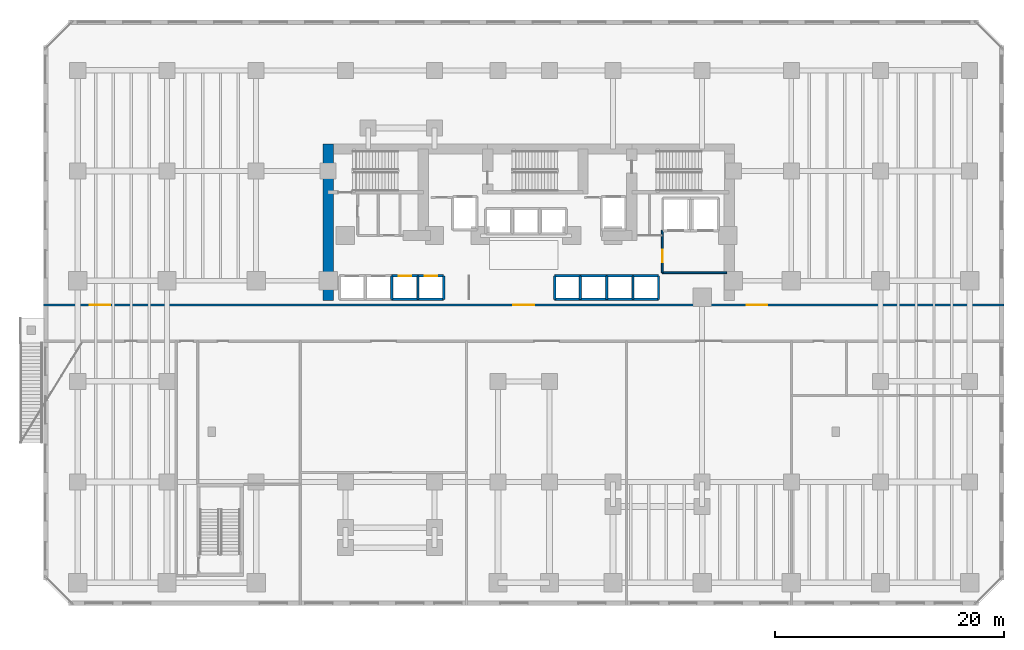
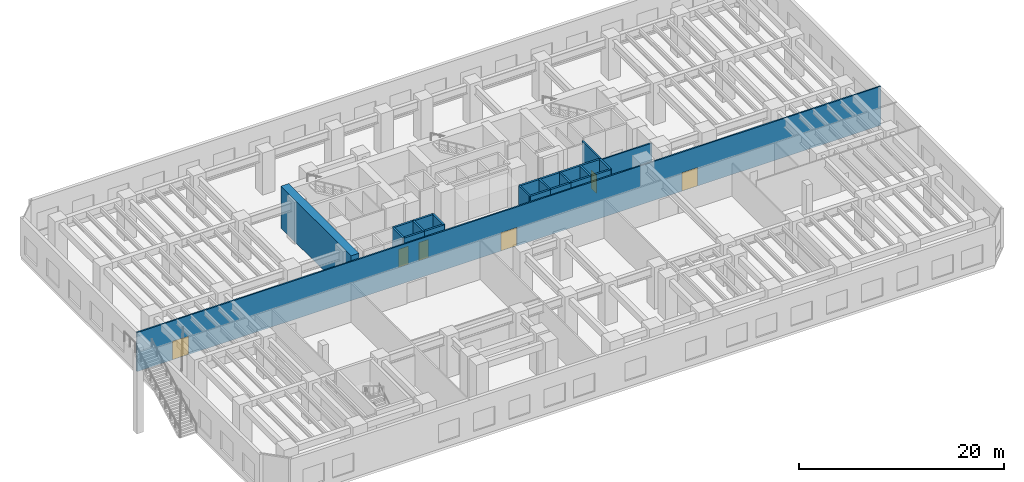
# One storey, part 13 of 19: 24 walls, 6 doors, 6 openings.
"""IFC4 building model written with IfcOpenShell, lengths in metres."""

import ifcopenshell
import ifcopenshell.guid

model = None  # the IFC model being written
_history = None  # IfcOwnerHistory: only IFC2X3 demands one
_inside = {}  # id of a spatial element -> (the spatial element, [elements in it])
_under = {}  # id of a project, library or spatial element -> (it, [spatial elements below it])
_declared = {}  # id of a project -> (the project, [libraries it declares])
_typed = {}  # id of a type object -> (the type object, [elements of that type])
_made_of = {}  # id of a material, layer set ... -> (it, [elements and type objects made of it])


def new_model(schema):
    """Start an empty IFC model of exactly this schema.

    Asked for "IFC4X3", IfcOpenShell would pick the latest addendum, in which some entities
    have other attributes; the version numbers below select the first issue.
    IFC2X3 requires an IfcOwnerHistory on every rooted entity: one is made here for all.
    """
    global model, _history
    if schema == "IFC4X3":
        model = ifcopenshell.file(schema_version=(4, 3, 0, 0))
    else:
        model = ifcopenshell.file(schema=schema)
    _inside.clear()
    _under.clear()
    _declared.clear()
    _typed.clear()
    _made_of.clear()
    _history = None
    if model.schema == "IFC2X3":
        org = make("IfcOrganization", Name="unknown")
        user = make(
            "IfcPersonAndOrganization",
            ThePerson=make("IfcPerson", FamilyName="unknown"),
            TheOrganization=org,
        )
        app = make(
            "IfcApplication",
            ApplicationDeveloper=org,
            Version="unknown",
            ApplicationFullName="unknown",
            ApplicationIdentifier="unknown",
        )
        _history = make(
            "IfcOwnerHistory",
            OwningUser=user,
            OwningApplication=app,
            ChangeAction="ADDED",
            CreationDate=0,
        )
    return model


def make(cls, **values):
    """One entity of the class cls with the attributes given. An attribute that is None is left unset."""
    return model.create_entity(
        cls, **{name: value for name, value in values.items() if value is not None}
    )


def rooted(cls, **values):
    """An entity with a GlobalId (a new one), such as an element, a storey or a relation."""
    return make(cls, GlobalId=ifcopenshell.guid.new(), OwnerHistory=_history, **values)


def si_unit(unit_type, name, prefix=None):
    """IfcSIUnit, for example si_unit("LENGTHUNIT", "METRE", prefix="MILLI")."""
    return make("IfcSIUnit", UnitType=unit_type, Prefix=prefix, Name=name)


def assignment(units):
    """IfcUnitAssignment: the units of a project."""
    return None if units is None else make("IfcUnitAssignment", Units=units)


def point(xyz):
    """IfcCartesianPoint."""
    return None if xyz is None else make("IfcCartesianPoint", Coordinates=xyz)


def direction(xyz):
    """IfcDirection."""
    return None if xyz is None else make("IfcDirection", DirectionRatios=xyz)


def frame(location, z_axis=None, x_axis=None):
    """IfcAxis2Placement3D, a coordinate frame: its origin and axes. An axis left out is left unset."""
    return make(
        "IfcAxis2Placement3D",
        Location=point(location),
        Axis=direction(z_axis),
        RefDirection=direction(x_axis),
    )


def frame_2d(location, x_axis=None):
    """IfcAxis2Placement2D, a coordinate frame in the plane: its origin and x axis."""
    return make(
        "IfcAxis2Placement2D", Location=point(location), RefDirection=direction(x_axis)
    )


def origin():
    """The frame at (0, 0, 0) with its axes left unset."""
    return frame((0.0, 0.0, 0.0))


def place(relative_to, where):
    """IfcLocalPlacement: puts the frame where relative to a parent placement (None: the world)."""
    return make(
        "IfcLocalPlacement", PlacementRelTo=relative_to, RelativePlacement=where
    )


def context(
    kind, dimensions, precision=None, world=None, true_north=None, identifier=None
):
    """IfcGeometricRepresentationContext, for example the 3D "Model" context."""
    return make(
        "IfcGeometricRepresentationContext",
        ContextIdentifier=identifier,
        ContextType=kind,
        CoordinateSpaceDimension=dimensions,
        Precision=precision,
        WorldCoordinateSystem=world,
        TrueNorth=true_north,
    )


def subcontext(parent, identifier, kind, view, scale=None):
    """IfcGeometricRepresentationSubContext, for example "Body" below "Model"."""
    return make(
        "IfcGeometricRepresentationSubContext",
        ContextIdentifier=identifier,
        ContextType=kind,
        ParentContext=parent,
        TargetScale=scale,
        TargetView=view,
    )


def project(units=None, contexts=None):
    """IfcProject with its units and contexts."""
    return rooted(
        "IfcProject",
        Name="project",
        RepresentationContexts=contexts,
        UnitsInContext=assignment(units),
    )


def spatial(cls, under=None, at=None, **own):
    """A site, building, storey or space (cls), placed at a placement, below another one or the project."""
    s = rooted(cls, ObjectPlacement=at, **own)
    if under is not None:
        _under.setdefault(under.id(), (under, []))[1].append(s)
    return s


def profile(cls, at=None, kind="AREA", **sizes):
    """A parametric profile (cls). Its sizes go by their IFC names, for example OverallWidth=200.0."""
    return make(cls, ProfileType=kind, Position=at, **sizes)


def rectangle(**sizes):
    """IfcRectangleProfileDef."""
    return profile("IfcRectangleProfileDef", **sizes)


def extrude(swept, where, along, depth):
    """IfcExtrudedAreaSolid: the profile swept, set in the frame where, extruded along a direction by depth."""
    return make(
        "IfcExtrudedAreaSolid",
        SweptArea=swept,
        Position=where,
        ExtrudedDirection=direction(along),
        Depth=depth,
    )


def shape(context_of_items, identifier, shape_type, items):
    """IfcShapeRepresentation: the items that make up one representation, for example the "Body"."""
    return make(
        "IfcShapeRepresentation",
        ContextOfItems=context_of_items,
        RepresentationIdentifier=identifier,
        RepresentationType=shape_type,
        Items=items,
    )


def material(Name=None, Category=None):
    """IfcMaterial."""
    return make("IfcMaterial", Name=Name, Category=Category)


def layer(
    of_material, thickness, ventilated=None, Name=None, Category=None, Priority=None
):
    """IfcMaterialLayer: one layer of a wall or slab, of a material (None: an air gap)."""
    return make(
        "IfcMaterialLayer",
        Material=of_material,
        LayerThickness=thickness,
        IsVentilated=ventilated,
        Name=Name,
        Category=Category,
        Priority=Priority,
    )


def layer_set(layers, Name=None):
    """IfcMaterialLayerSet."""
    return make("IfcMaterialLayerSet", MaterialLayers=layers, LayerSetName=Name)


def made_of(thing, what):
    """Note that an element or type object is made of a material, layer set ...; save() writes the relation."""
    if what is not None:
        _made_of.setdefault(what.id(), (what, []))[1].append(thing)
    return thing


def type_object(cls, material=None, **own):
    """A type object (cls), such as IfcWallType, which elements share."""
    return made_of(rooted(cls, **own), material)


def element(
    cls,
    number,
    at=None,
    inside=None,
    cuts=None,
    type_object=None,
    material=None,
    context=None,
    identifier="Body",
    shape_type=None,
    held_by="IfcProductDefinitionShape",
    body=None,
    shapes=None,
    **own,
):
    """One element of the class cls, such as IfcWall. Its Tag is "e" and its number.

    at: its placement. inside: the storey or other place that contains it. cuts: it is an
    opening in that element (IfcRelVoidsElement). A single representation is given by context,
    identifier, shape_type and body (its items); several are given by shapes. held_by: the class
    of the entity that holds the representations. save() writes the other relations.
    """
    e = rooted(cls, Tag="e%d" % number, ObjectPlacement=at, **own)
    if body is not None:
        shapes = [shape(context, identifier, shape_type, body)]
    if shapes is not None:
        e.Representation = make(held_by, Representations=shapes)
    if inside is not None:
        _inside.setdefault(inside.id(), (inside, []))[1].append(e)
    if cuts is not None:
        rooted(
            "IfcRelVoidsElement", RelatingBuildingElement=cuts, RelatedOpeningElement=e
        )
    if type_object is not None:
        _typed.setdefault(type_object.id(), (type_object, []))[1].append(e)
    return made_of(e, material)


def fill(opening, filler):
    """IfcRelFillsElement: the door or window that sits in an opening."""
    return rooted(
        "IfcRelFillsElement",
        RelatingOpeningElement=opening,
        RelatedBuildingElement=filler,
    )


def aggregate(whole, parts):
    """IfcRelAggregates: a whole, such as a stair, and the parts it consists of."""
    return rooted("IfcRelAggregates", RelatingObject=whole, RelatedObjects=parts)


def save(model, path):
    """Write the relations noted so far, then the file.

    IfcRelAggregates (storeys below a building ...), IfcRelContainedInSpatialStructure (elements
    in a storey), IfcRelDefinesByType, IfcRelAssociatesMaterial and IfcRelDeclares: one each for
    every whole, place, type object, material and project.
    """
    for whole, parts in _under.values():
        aggregate(whole, parts)
    for where, things in _inside.values():
        rooted(
            "IfcRelContainedInSpatialStructure",
            RelatedElements=things,
            RelatingStructure=where,
        )
    for kind, things in _typed.values():
        rooted("IfcRelDefinesByType", RelatedObjects=things, RelatingType=kind)
    for what, things in _made_of.values():
        rooted("IfcRelAssociatesMaterial", RelatedObjects=things, RelatingMaterial=what)
    for by, libraries in _declared.values():
        rooted("IfcRelDeclares", RelatingContext=by, RelatedDefinitions=libraries)
    model.write(path)


model = new_model("IFC4")

# Units and contexts
model_context = context("Model", 3, precision=1e-05, world=origin(), true_north=direction((0.0, 1.0)))
body_context = subcontext(model_context, "Body", "Model", "MODEL_VIEW")
ifc_project = project(units=[si_unit("LENGTHUNIT", "METRE"), si_unit("AREAUNIT", "SQUARE_METRE"), si_unit("VOLUMEUNIT", "CUBIC_METRE"), si_unit("PLANEANGLEUNIT", "RADIAN"), si_unit("MASSUNIT", "GRAM", prefix="KILO")], contexts=[model_context])

# Site, building, storey
site_placement = place(None, origin())
site = spatial("IfcSite", under=ifc_project, at=site_placement, CompositionType="ELEMENT")
building_placement = place(site_placement, origin())
building = spatial("IfcBuilding", under=site, at=building_placement, Name="Kestravale Grand Hotel", CompositionType="ELEMENT")
storey_placement = place(building_placement, frame((0.0, 0.0, 5.39990234375)))
storey = spatial("IfcBuildingStorey", under=building, at=storey_placement, Name="L01", CompositionType="ELEMENT", Elevation=5.39990234375)

# Wall
ifc_material_1 = material(Name="Concrete f'c 70 MPa", Category="concrete")
ifc_layer_1 = layer(ifc_material_1, 0.89990234375)
ifc_layer_set_1 = layer_set([ifc_layer_1], Name="EW-CORE-900")
wall_type_1 = type_object("IfcWallType", Name="EW-CORE-900", PredefinedType="SHEAR", material=ifc_layer_set_1)
wall_1_placement = place(storey_placement, frame((21.89990234375, 27.050048828125, 0.0), z_axis=(0.0, 0.0, 1.0), x_axis=(0.0, 1.0, 0.0)))
element("IfcWall", 1, at=wall_1_placement, inside=storey, type_object=wall_type_1, Name="L01 core shear wall W1", PredefinedType="SHEAR", context=body_context, shape_type="SweptSolid", body=[
    extrude(rectangle(XDim=13.719970703125, YDim=0.89990234375, at=frame_2d((6.85986328125, 0.0))), origin(), (0.0, 0.0, 1.0), 5.0),
])

# Wall, opening, door
ifc_material_2 = material(Name="Acoustic fire-rated gypsum board partition", Category="other")
ifc_layer_2 = layer(ifc_material_2, 0.159912109375)
ifc_layer_set_2 = layer_set([ifc_layer_2], Name="IW-CORR-160")
wall_type_2 = type_object("IfcWallType", Name="IW-CORR-160", PredefinedType="PARTITIONING", material=ifc_layer_set_2)
wall_2_placement = place(storey_placement, frame((51.1201171875, 29.5, 0.0), z_axis=(0.0, 0.0, 1.0), x_axis=(0.0, 1.0, 0.0)))
wall_2 = element("IfcWall", 2, at=wall_2_placement, inside=storey, type_object=wall_type_2, Name="W-L01-SVCLOB-W", PredefinedType="PARTITIONING", context=body_context, shape_type="SweptSolid", body=[
    extrude(rectangle(XDim=3.699951171875, YDim=0.159912109375, at=frame_2d((1.85009765625, 0.0))), origin(), (0.0, 0.0, 1.0), 4.650146484375),
])
opening_1_placement = place(wall_2_placement, frame((0.89990234375, 0.0, 0.0)))
opening_1 = element("IfcOpeningElement", 3, at=opening_1_placement, cuts=wall_2, Name="Opening D-CORR-1100", PredefinedType="OPENING", context=body_context, shape_type="SweptSolid", body=[
    extrude(rectangle(XDim=1.10009765625, YDim=2.14990234375, at=frame_2d((0.550048828125, 1.074951171875))), frame((0.0, 0.08984375, 0.0), z_axis=(0.0, -1.0, 0.0), x_axis=(1.0, 0.0, 0.0)), (0.0, 0.0, 1.0), 0.179931640625),
])
ifc_material_3 = material(Name="Single-leaf service vestibule fire door", Category="steel")
door_type_1 = type_object("IfcDoorType", Name="D-CORR-1100", OperationType="NOTDEFINED", PredefinedType="DOOR", material=ifc_material_3)
door_1_placement = place(opening_1_placement, origin())
door_1 = element("IfcDoor", 4, at=door_1_placement, inside=storey, type_object=door_type_1, Name="L01 service lift lobby door", OperationType="SINGLE_SWING_LEFT", OverallHeight=2.14990234375, OverallWidth=1.10009765625, PredefinedType="DOOR", context=body_context, shape_type="SweptSolid", body=[
    extrude(rectangle(XDim=1.10009765625, YDim=2.14990234375, at=frame_2d((0.550048828125, 1.074951171875))), frame((0.0, 0.02490234375, 0.0), z_axis=(0.0, -1.0, 0.0), x_axis=(1.0, 0.0, 0.0)), (0.0, 0.0, 1.0), 0.050048828125),
])
fill(opening_1, door_1)

# Wall
wall_3_placement = place(storey_placement, frame((51.1201171875, 29.5, 0.0), z_axis=(0.0, 0.0, 1.0), x_axis=(1.0, 0.0, 0.0)))
element("IfcWall", 5, at=wall_3_placement, inside=storey, type_object=wall_type_2, Name="L01 service lift lobby wall", PredefinedType="PARTITIONING", context=body_context, shape_type="SweptSolid", body=[
    extrude(rectangle(XDim=5.6298828125, YDim=0.159912109375, at=frame_2d((2.81494140625, 0.0))), origin(), (0.0, 0.0, 1.0), 4.650146484375),
])

# Wall, openings, doors
wall_4_placement = place(storey_placement, frame((-2.97998046875, 26.679931640625, 0.0), z_axis=(0.0, 0.0, 1.0), x_axis=(1.0, 0.0, 0.0)))
wall_4 = element("IfcWall", 6, at=wall_4_placement, inside=storey, type_object=wall_type_2, Name="W-L01-MC-N", PredefinedType="PARTITIONING", context=body_context, shape_type="SweptSolid", body=[
    extrude(rectangle(XDim=83.9599609375, YDim=0.159912109375, at=frame_2d((41.97998046875, 0.0))), origin(), (0.0, 0.0, 1.0), 4.650146484375),
])
opening_2_placement = place(wall_4_placement, frame((41.080078125, 0.0, 0.0)))
opening_2 = element("IfcOpeningElement", 7, at=opening_2_placement, cuts=wall_4, Name="Opening D-CORR-1800", PredefinedType="OPENING", context=body_context, shape_type="SweptSolid", body=[
    extrude(rectangle(XDim=1.800048828125, YDim=2.199951171875, at=frame_2d((0.89990234375, 1.10009765625))), frame((0.0, 0.08984375, 0.0), z_axis=(0.0, -1.0, 0.0), x_axis=(1.0, 0.0, 0.0)), (0.0, 0.0, 1.0), 0.179931640625),
])
opening_3_placement = place(wall_4_placement, frame((4.04248046875, 0.0, 0.0)))
opening_3 = element("IfcOpeningElement", 8, at=opening_3_placement, cuts=wall_4, Name="Opening D-CORR-1800", PredefinedType="OPENING", context=body_context, shape_type="SweptSolid", body=[
    extrude(rectangle(XDim=1.800048828125, YDim=2.199951171875, at=frame_2d((0.89990234375, 1.10009765625))), frame((0.0, 0.08984375, 0.0), z_axis=(0.0, -1.0, 0.0), x_axis=(1.0, 0.0, 0.0)), (0.0, 0.0, 1.0), 0.179931640625),
])
opening_4_placement = place(wall_4_placement, frame((61.47998046875, 0.0, 0.0)))
opening_4 = element("IfcOpeningElement", 9, at=opening_4_placement, cuts=wall_4, Name="Opening D-CORR-1800", PredefinedType="OPENING", context=body_context, shape_type="SweptSolid", body=[
    extrude(rectangle(XDim=1.800048828125, YDim=2.199951171875, at=frame_2d((0.89990234375, 1.10009765625))), frame((0.0, 0.08984375, 0.0), z_axis=(0.0, -1.0, 0.0), x_axis=(1.0, 0.0, 0.0)), (0.0, 0.0, 1.0), 0.179931640625),
])
ifc_material_4 = material(Name="Double-leaf glazed bronze acoustic corridor fire door", Category="aluminium")
door_type_2 = type_object("IfcDoorType", Name="D-CORR-1800", OperationType="NOTDEFINED", PredefinedType="DOOR", material=ifc_material_4)
door_2_placement = place(opening_2_placement, origin())
door_2 = element("IfcDoor", 10, at=door_2_placement, inside=storey, type_object=door_type_2, Name="D-L01-MC-LFT", OperationType="DOUBLE_DOOR_SINGLE_SWING", OverallHeight=2.199951171875, OverallWidth=1.800048828125, PredefinedType="DOOR", context=body_context, shape_type="SweptSolid", body=[
    extrude(rectangle(XDim=1.800048828125, YDim=2.199951171875, at=frame_2d((0.89990234375, 1.10009765625))), frame((0.0, 0.02490234375, 0.0), z_axis=(0.0, -1.0, 0.0), x_axis=(1.0, 0.0, 0.0)), (0.0, 0.0, 1.0), 0.050048828125),
])
fill(opening_2, door_2)
door_3_placement = place(opening_3_placement, origin())
door_3 = element("IfcDoor", 11, at=door_3_placement, inside=storey, type_object=door_type_2, Name="D-L01-BOARD", OperationType="DOUBLE_DOOR_SINGLE_SWING", OverallHeight=2.199951171875, OverallWidth=1.800048828125, PredefinedType="DOOR", context=body_context, shape_type="SweptSolid", body=[
    extrude(rectangle(XDim=1.800048828125, YDim=2.199951171875, at=frame_2d((0.89990234375, 1.10009765625))), frame((0.0, 0.02490234375, 0.0), z_axis=(0.0, -1.0, 0.0), x_axis=(1.0, 0.0, 0.0)), (0.0, 0.0, 1.0), 0.050048828125),
])
fill(opening_3, door_3)
door_4_placement = place(opening_4_placement, origin())
door_4 = element("IfcDoor", 12, at=door_4_placement, inside=storey, type_object=door_type_2, Name="D-L01-ADMIN", OperationType="DOUBLE_DOOR_SINGLE_SWING", OverallHeight=2.199951171875, OverallWidth=1.800048828125, PredefinedType="DOOR", context=body_context, shape_type="SweptSolid", body=[
    extrude(rectangle(XDim=1.800048828125, YDim=2.199951171875, at=frame_2d((0.89990234375, 1.10009765625))), frame((0.0, 0.02490234375, 0.0), z_axis=(0.0, -1.0, 0.0), x_axis=(1.0, 0.0, 0.0)), (0.0, 0.0, 1.0), 0.050048828125),
])
fill(opening_4, door_4)

# Walls
ifc_material_5 = material(Name="Concrete f'c 45 MPa", Category="concrete")
ifc_layer_3 = layer(ifc_material_5, 0.199951171875)
ifc_layer_set_3 = layer_set([ifc_layer_3], Name="IW-SHAFT-200")
wall_type_3 = type_object("IfcWallType", Name="IW-SHAFT-200", PredefinedType="SHEAR", material=ifc_layer_set_3)
for number, where, z_axis, x_axis, name in (
    (13, (27.449951171875, 27.169921875, 0.0), (0.0, 0.0, 1.0), (0.0, 1.0, 0.0), "L01 PL-L3 west shaft wall"),
    (14, (29.75, 27.169921875, 0.0), (0.0, 0.0, 1.0), (0.0, 1.0, 0.0), "L01 PL-L4 west shaft wall"),
    (15, (31.9951171875, 27.169921875, 0.0), (0.0, 0.0, 1.0), (0.0, 1.0, 0.0), "L01 PL-L4 east shaft wall"),
    (16, (41.705078125, 27.169921875, 0.0), (0.0, 0.0, 1.0), (0.0, 1.0, 0.0), "L01 PL-M1 west shaft wall"),
    (17, (43.949951171875, 27.169921875, 0.0), (0.0, 0.0, 1.0), (0.0, 1.0, 0.0), "L01 PL-M2 west shaft wall"),
    (18, (46.25, 27.169921875, 0.0), (0.0, 0.0, 1.0), (0.0, 1.0, 0.0), "L01 PL-M3 west shaft wall"),
    (19, (48.550048828125, 27.169921875, 0.0), (0.0, 0.0, 1.0), (0.0, 1.0, 0.0), "L01 PL-M4 west shaft wall"),
    (20, (50.794921875, 27.169921875, 0.0), (0.0, 0.0, 1.0), (0.0, 1.0, 0.0), "L01 PL-M4 east shaft wall"),
):
    element("IfcWall", number, at=place(storey_placement, frame(where, z_axis=z_axis, x_axis=x_axis)), inside=storey, type_object=wall_type_3, Name=name, PredefinedType="SHEAR", context=body_context, shape_type="SweptSolid", body=[
        extrude(rectangle(XDim=2.06005859375, YDim=0.199951171875, at=frame_2d((1.030029296875, 0.0))), origin(), (0.0, 0.0, 1.0), 5.0),
    ])

# Wall, opening, door
ifc_material_6 = material(Name="Concrete f'c 45 MPa", Category="concrete")
ifc_layer_4 = layer(ifc_material_6, 0.219970703125)
ifc_layer_set_4 = layer_set([ifc_layer_4], Name="IW-SHAFT-220")
wall_type_4 = type_object("IfcWallType", Name="IW-SHAFT-220", PredefinedType="SHEAR", material=ifc_layer_set_4)
wall_5_placement = place(storey_placement, frame((27.449951171875, 29.22998046875, 0.0), z_axis=(0.0, 0.0, 1.0), x_axis=(1.0, 0.0, 0.0)))
wall_5 = element("IfcWall", 21, at=wall_5_placement, inside=storey, type_object=wall_type_4, Name="L01 PL-L3 north shaft wall", PredefinedType="SHEAR", context=body_context, shape_type="SweptSolid", body=[
    extrude(rectangle(XDim=2.300048828125, YDim=0.219970703125, at=frame_2d((1.14990234375, 0.0))), origin(), (0.0, 0.0, 1.0), 5.0),
])
opening_5_placement = place(wall_5_placement, frame((0.60009765625, 0.0, 0.0)))
opening_5 = element("IfcOpeningElement", 22, at=opening_5_placement, cuts=wall_5, Name="Opening LD-PAX-1100", PredefinedType="OPENING", context=body_context, shape_type="SweptSolid", body=[
    extrude(rectangle(XDim=1.10009765625, YDim=2.14990234375, at=frame_2d((0.550048828125, 1.074951171875))), frame((0.0, 0.119873046875, 0.0), z_axis=(0.0, -1.0, 0.0), x_axis=(1.0, 0.0, 0.0)), (0.0, 0.0, 1.0), 0.239990234375),
])
ifc_material_7 = material(Name="Champagne-bronze center-opening sliding elevator landing door", Category="steel")
door_type_3 = type_object("IfcDoorType", Name="LD-PAX-1100", OperationType="NOTDEFINED", PredefinedType="DOOR", material=ifc_material_7)
door_5_placement = place(opening_5_placement, origin())
door_5 = element("IfcDoor", 23, at=door_5_placement, inside=storey, type_object=door_type_3, Name="L01 PL-L3 elevator landing sliding door", OperationType="DOUBLE_DOOR_SLIDING", OverallHeight=2.14990234375, OverallWidth=1.10009765625, PredefinedType="DOOR", context=body_context, shape_type="SweptSolid", body=[
    extrude(rectangle(XDim=1.10009765625, YDim=2.14990234375, at=frame_2d((0.550048828125, 1.074951171875))), frame((0.0, 0.02490234375, 0.0), z_axis=(0.0, -1.0, 0.0), x_axis=(1.0, 0.0, 0.0)), (0.0, 0.0, 1.0), 0.050048828125),
])
fill(opening_5, door_5)

# Wall
wall_6_placement = place(storey_placement, frame((27.449951171875, 27.169921875, 0.0), z_axis=(0.0, 0.0, 1.0), x_axis=(1.0, 0.0, 0.0)))
element("IfcWall", 24, at=wall_6_placement, inside=storey, type_object=wall_type_4, Name="L01 PL-L3 south shaft wall", PredefinedType="SHEAR", context=body_context, shape_type="SweptSolid", body=[
    extrude(rectangle(XDim=2.300048828125, YDim=0.219970703125, at=frame_2d((1.14990234375, 0.0))), origin(), (0.0, 0.0, 1.0), 5.0),
])

# Wall, opening, door
wall_7_placement = place(storey_placement, frame((29.75, 29.22998046875, 0.0), z_axis=(0.0, 0.0, 1.0), x_axis=(1.0, 0.0, 0.0)))
wall_7 = element("IfcWall", 25, at=wall_7_placement, inside=storey, type_object=wall_type_4, Name="L01 PL-L4 north shaft wall", PredefinedType="SHEAR", context=body_context, shape_type="SweptSolid", body=[
    extrude(rectangle(XDim=2.2451171875, YDim=0.219970703125, at=frame_2d((1.12255859375, 0.0))), origin(), (0.0, 0.0, 1.0), 5.0),
])
opening_6_placement = place(wall_7_placement, frame((0.60009765625, 0.0, 0.0)))
opening_6 = element("IfcOpeningElement", 26, at=opening_6_placement, cuts=wall_7, Name="Opening LD-PAX-1100", PredefinedType="OPENING", context=body_context, shape_type="SweptSolid", body=[
    extrude(rectangle(XDim=1.10009765625, YDim=2.14990234375, at=frame_2d((0.550048828125, 1.074951171875))), frame((0.0, 0.119873046875, 0.0), z_axis=(0.0, -1.0, 0.0), x_axis=(1.0, 0.0, 0.0)), (0.0, 0.0, 1.0), 0.239990234375),
])
door_6_placement = place(opening_6_placement, origin())
door_6 = element("IfcDoor", 27, at=door_6_placement, inside=storey, type_object=door_type_3, Name="L01 PL-L4 elevator landing sliding door", OperationType="DOUBLE_DOOR_SLIDING", OverallHeight=2.14990234375, OverallWidth=1.10009765625, PredefinedType="DOOR", context=body_context, shape_type="SweptSolid", body=[
    extrude(rectangle(XDim=1.10009765625, YDim=2.14990234375, at=frame_2d((0.550048828125, 1.074951171875))), frame((0.0, 0.02490234375, 0.0), z_axis=(0.0, -1.0, 0.0), x_axis=(1.0, 0.0, 0.0)), (0.0, 0.0, 1.0), 0.050048828125),
])
fill(opening_6, door_6)

# Walls
wall_8_placement = place(storey_placement, frame((29.75, 27.169921875, 0.0), z_axis=(0.0, 0.0, 1.0), x_axis=(1.0, 0.0, 0.0)))
element("IfcWall", 28, at=wall_8_placement, inside=storey, type_object=wall_type_4, Name="L01 PL-L4 south shaft wall", PredefinedType="SHEAR", context=body_context, shape_type="SweptSolid", body=[
    extrude(rectangle(XDim=2.2451171875, YDim=0.219970703125, at=frame_2d((1.12255859375, 0.0))), origin(), (0.0, 0.0, 1.0), 5.0),
])
for number, where, z_axis, x_axis, name in (
    (29, (41.705078125, 29.22998046875, 0.0), (0.0, 0.0, 1.0), (1.0, 0.0, 0.0), "L01 PL-M1 north shaft wall"),
    (30, (41.705078125, 27.169921875, 0.0), (0.0, 0.0, 1.0), (1.0, 0.0, 0.0), "L01 PL-M1 south shaft wall"),
):
    element("IfcWall", number, at=place(storey_placement, frame(where, z_axis=z_axis, x_axis=x_axis)), inside=storey, type_object=wall_type_4, Name=name, PredefinedType="SHEAR", context=body_context, shape_type="SweptSolid", body=[
        extrude(rectangle(XDim=2.244873046875, YDim=0.219970703125, at=frame_2d((1.12255859375, 0.0))), origin(), (0.0, 0.0, 1.0), 5.0),
    ])
for number, where, z_axis, x_axis, name in (
    (31, (43.949951171875, 29.22998046875, 0.0), (0.0, 0.0, 1.0), (1.0, 0.0, 0.0), "L01 PL-M2 north shaft wall"),
    (32, (43.949951171875, 27.169921875, 0.0), (0.0, 0.0, 1.0), (1.0, 0.0, 0.0), "L01 PL-M2 south shaft wall"),
    (33, (46.25, 29.22998046875, 0.0), (0.0, 0.0, 1.0), (1.0, 0.0, 0.0), "L01 PL-M3 north shaft wall"),
    (34, (46.25, 27.169921875, 0.0), (0.0, 0.0, 1.0), (1.0, 0.0, 0.0), "L01 PL-M3 south shaft wall"),
):
    element("IfcWall", number, at=place(storey_placement, frame(where, z_axis=z_axis, x_axis=x_axis)), inside=storey, type_object=wall_type_4, Name=name, PredefinedType="SHEAR", context=body_context, shape_type="SweptSolid", body=[
        extrude(rectangle(XDim=2.300048828125, YDim=0.219970703125, at=frame_2d((1.14990234375, 0.0))), origin(), (0.0, 0.0, 1.0), 5.0),
    ])
for number, where, z_axis, x_axis, name in (
    (35, (48.550048828125, 29.22998046875, 0.0), (0.0, 0.0, 1.0), (1.0, 0.0, 0.0), "L01 PL-M4 north shaft wall"),
    (36, (48.550048828125, 27.169921875, 0.0), (0.0, 0.0, 1.0), (1.0, 0.0, 0.0), "L01 PL-M4 south shaft wall"),
):
    element("IfcWall", number, at=place(storey_placement, frame(where, z_axis=z_axis, x_axis=x_axis)), inside=storey, type_object=wall_type_4, Name=name, PredefinedType="SHEAR", context=body_context, shape_type="SweptSolid", body=[
        extrude(rectangle(XDim=2.244873046875, YDim=0.219970703125, at=frame_2d((1.12255859375, 0.0))), origin(), (0.0, 0.0, 1.0), 5.0),
    ])

save(model, "model.ifc")
